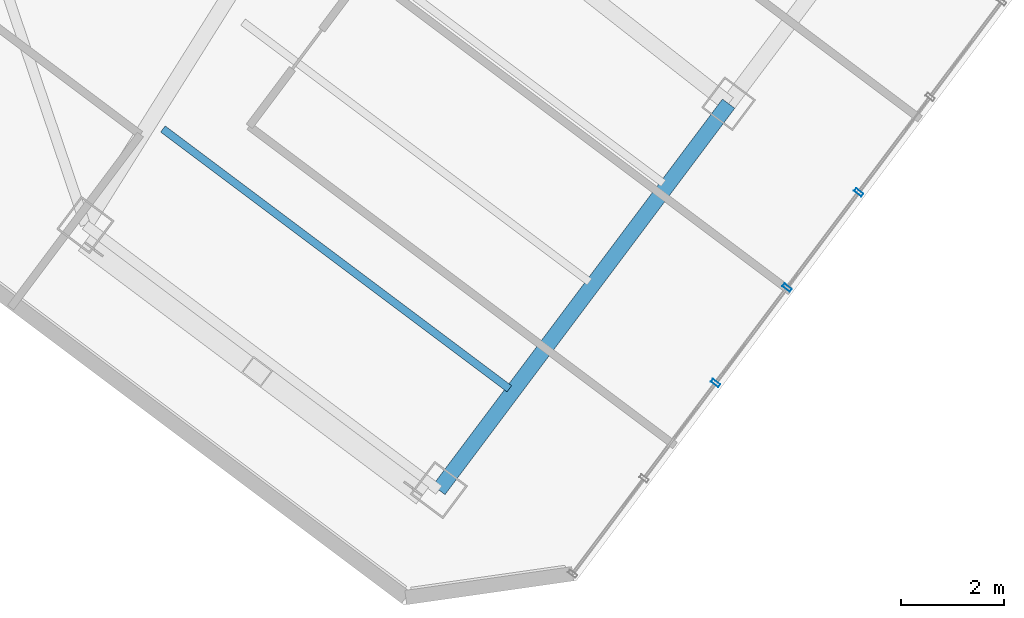
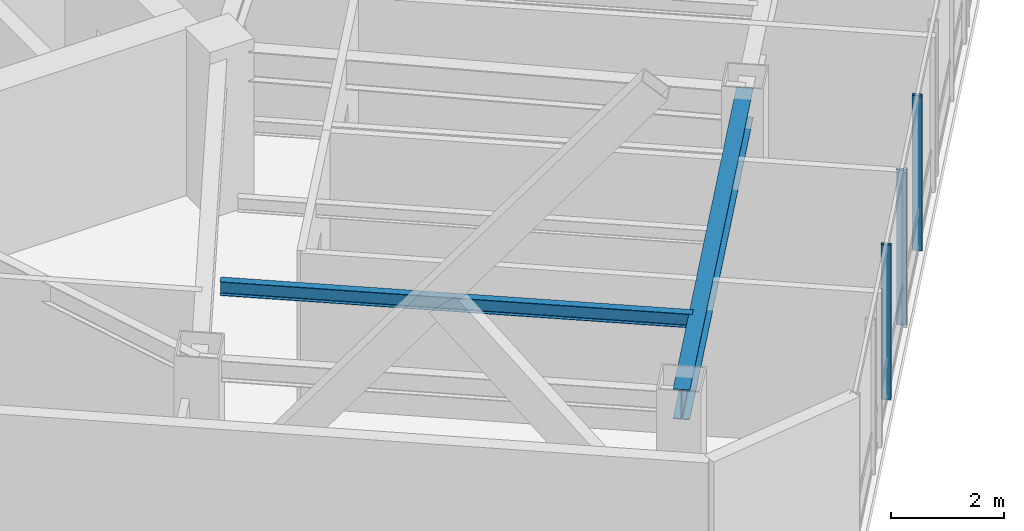
# One storey, part 11 of 27: 3 members, 2 beams, 1 element without a shape of its own.
"""IFC4 building model written with IfcOpenShell, lengths in metres."""

from ifc_helpers import new_model, si_unit, direction, frame, origin, origin_2d, place, context, subcontext, project, spatial, hollow_rectangle, i_section, extrude, material, layer, layer_set, material_profile, profile_set, type_object, element, aggregate, save


model = new_model("IFC4")

# Units and contexts
model_context = context("Model", 3, precision=1e-05, world=origin(), true_north=direction((0.0, 1.0)))
body_context = subcontext(model_context, "Body", "Model", "MODEL_VIEW")
ifc_project = project(units=[si_unit("LENGTHUNIT", "METRE"), si_unit("AREAUNIT", "SQUARE_METRE"), si_unit("VOLUMEUNIT", "CUBIC_METRE"), si_unit("PLANEANGLEUNIT", "RADIAN"), si_unit("MASSUNIT", "GRAM", prefix="KILO")], contexts=[model_context])

# Site, building, storey
site_placement = place(None, origin())
site = spatial("IfcSite", under=ifc_project, at=site_placement, CompositionType="ELEMENT")
building_placement = place(site_placement, origin())
building = spatial("IfcBuilding", under=site, at=building_placement, Name="Hatsunagi Terrace Concourse", CompositionType="ELEMENT")
storey_placement = place(building_placement, frame((0.0, 0.0, 167.25)))
storey = spatial("IfcBuildingStorey", under=building, at=storey_placement, Name="L44", CompositionType="ELEMENT", Elevation=167.25)

# Curtain wall, members
ifc_material_1 = material(Name="Anodised Aluminium Alloy 6063-T5", Category="aluminium")
ifc_layer = layer(ifc_material_1, 0.199951171875)
ifc_layer_set = layer_set([ifc_layer], Name="OfficeZone1_CW03")
curtain_wall_type = type_object("IfcCurtainWallType", Name="OfficeZone1_CW03", PredefinedType="NOTDEFINED", material=ifc_layer_set)
curtain_wall_placement = place(storey_placement, origin())
curtain_wall = element("IfcCurtainWall", 1, at=curtain_wall_placement, inside=storey, type_object=curtain_wall_type, Name="Unitised Curtain Wall CW-03 CW-L44-03", PredefinedType="NOTDEFINED")
ifc_material_2 = material(Name="Anodised Aluminium Alloy 6063-T5", Category="aluminium")
ifc_material_profile_1 = material_profile(ifc_material_2, hollow_rectangle(XDim=0.070068359375, YDim=0.179931640625, WallThickness=0.00390625, at=origin_2d()), Name="ALU-MUL-180x70x4")
ifc_profile_set_1 = profile_set([ifc_material_profile_1], Name="Anodised Aluminium Alloy 6063-T5")
member_type = type_object("IfcMemberType", Name="CurtainWallMullion_180x70", PredefinedType="MULLION", material=ifc_profile_set_1)
member_1_placement = place(storey_placement, frame((53.73193359375, 16.676025390625, 0.0), z_axis=(0.0, 0.0, 1.0), x_axis=(-0.599969314634, -0.800023013105, 0.0)))
member_1 = element("IfcMember", 2, at=member_1_placement, type_object=member_type, Name="Curtain Wall Mullion MUL-02", PredefinedType="MULLION", context=body_context, shape_type="SweptSolid", body=[
    extrude(hollow_rectangle(XDim=0.070068359375, YDim=0.179931640625, WallThickness=0.00390625, at=origin_2d()), origin(), (0.0, 0.0, 1.0), 3.35009765625),
])
member_2_placement = place(storey_placement, frame((52.340087890625, 14.819091796875, 0.0), z_axis=(0.0, 0.0, 1.0), x_axis=(-0.599969314634, -0.800023013105, 0.0)))
member_2 = element("IfcMember", 3, at=member_2_placement, type_object=member_type, Name="Curtain Wall Mullion MUL-02", PredefinedType="MULLION", context=body_context, shape_type="SweptSolid", body=[
    extrude(hollow_rectangle(XDim=0.070068359375, YDim=0.179931640625, WallThickness=0.00390625, at=origin_2d()), origin(), (0.0, 0.0, 1.0), 3.35009765625),
])
member_3_placement = place(storey_placement, frame((50.947021484375, 12.962890625, 0.0), z_axis=(0.0, 0.0, 1.0), x_axis=(-0.599969314634, -0.800023013105, 0.0)))
member_3 = element("IfcMember", 4, at=member_3_placement, type_object=member_type, Name="Curtain Wall Mullion MUL-02", PredefinedType="MULLION", context=body_context, shape_type="SweptSolid", body=[
    extrude(hollow_rectangle(XDim=0.070068359375, YDim=0.179931640625, WallThickness=0.00390625, at=origin_2d()), origin(), (0.0, 0.0, 1.0), 3.35009765625),
])
aggregate(curtain_wall, [member_1, member_2, member_3])

# Beams
ifc_material_3 = material(Name="Steel SN490B", Category="steel")
ifc_material_profile_2 = material_profile(ifc_material_3, i_section(OverallWidth=0.14990234375, OverallDepth=0.300048828125, WebThickness=0.006591796875, FlangeThickness=0.009033203125, FilletRadius=0.010986328125, at=origin_2d()), Name="H-300x150x6.5x9")
ifc_profile_set_2 = profile_set([ifc_material_profile_2], Name="Steel SN490B")
beam_type_1 = type_object("IfcBeamType", Name="OfficeJoist_H_300x150", PredefinedType="JOIST", material=ifc_profile_set_2)
beam_1_placement = place(storey_placement, frame((40.18798828125, 17.908935546875, 3.199951171875), z_axis=(0.800003475366, -0.59999536615, 0.0), x_axis=(0.59999536615, 0.800003475366, 0.0)))
element("IfcBeam", 5, at=beam_1_placement, inside=storey, type_object=beam_type_1, Name="Beam J-03 J-L44-SE-2-46", PredefinedType="JOIST", context=body_context, shape_type="SweptSolid", body=[
    extrude(i_section(OverallWidth=0.14990234375, OverallDepth=0.300048828125, WebThickness=0.006591796875, FlangeThickness=0.009033203125, FilletRadius=0.010986328125, at=origin_2d()), origin(), (0.0, 0.0, 1.0), 8.429931640625),
])
ifc_material_4 = material(Name="Steel SN490B", Category="steel")
ifc_material_profile_3 = material_profile(ifc_material_4, i_section(OverallWidth=0.300048828125, OverallDepth=0.64990234375, WebThickness=0.012939453125, FlangeThickness=0.02197265625, FilletRadius=0.01806640625, at=origin_2d()), Name="H-650x300x13x22")
ifc_profile_set_3 = profile_set([ifc_material_profile_3], Name="Steel SN490B")
beam_type_2 = type_object("IfcBeamType", Name="OfficeLowGirder_H_650x300", PredefinedType="BEAM", material=ifc_profile_set_3)
beam_2_placement = place(storey_placement, frame((45.56005859375, 10.8798828125, 3.02490234375), z_axis=(0.599991688754, 0.800006233367, 0.0), x_axis=(-0.800006233367, 0.599991688754, 0.0)))
element("IfcBeam", 6, at=beam_2_placement, inside=storey, type_object=beam_type_2, Name="Beam G-05 BM-L44-SET-2A", PredefinedType="BEAM", context=body_context, shape_type="SweptSolid", body=[
    extrude(i_section(OverallWidth=0.300048828125, OverallDepth=0.64990234375, WebThickness=0.012939453125, FlangeThickness=0.02197265625, FilletRadius=0.01806640625, at=origin_2d()), origin(), (0.0, 0.0, 1.0), 9.39990234375),
])

save(model, "model.ifc")
